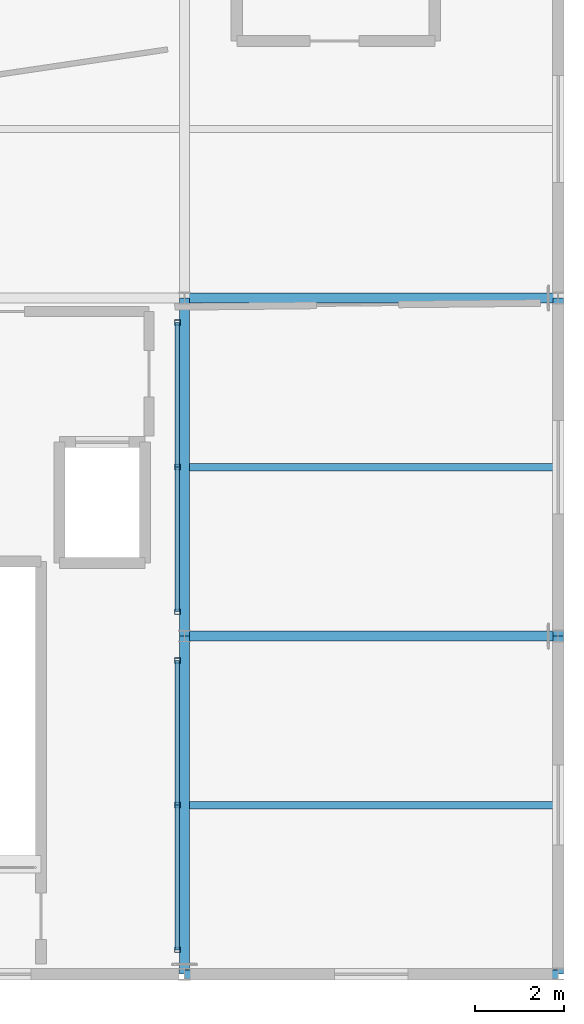
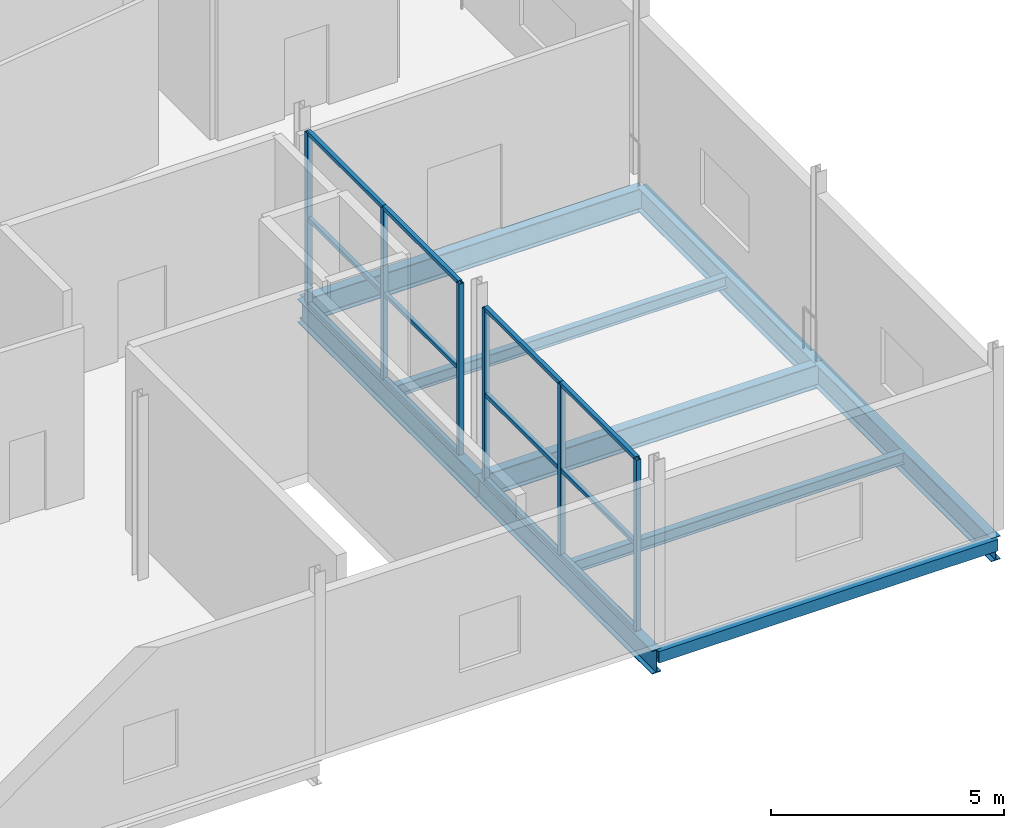
# One storey, part 4 of 8: 18 members, 9 beams, 2 elements without a shape of their own.
"""IFC4 building model written with IfcOpenShell, lengths in metres."""

from ifc_helpers import new_model, si_unit, direction, frame, origin, origin_2d, place, context, subcontext, project, spatial, hollow_rectangle, i_section, extrude, material, material_profile, profile_set, type_object, element, aggregate, save


model = new_model("IFC4")

# Units and contexts
model_context = context("Model", 3, precision=1e-05, world=origin(), true_north=direction((0.0, 1.0)))
body_context = subcontext(model_context, "Body", "Model", "MODEL_VIEW")
ifc_project = project(units=[si_unit("LENGTHUNIT", "METRE"), si_unit("AREAUNIT", "SQUARE_METRE"), si_unit("VOLUMEUNIT", "CUBIC_METRE"), si_unit("PLANEANGLEUNIT", "RADIAN"), si_unit("MASSUNIT", "GRAM", prefix="KILO")], contexts=[model_context])

# Site, building, storey
site_placement = place(None, origin())
site = spatial("IfcSite", under=ifc_project, at=site_placement, CompositionType="ELEMENT")
building_placement = place(site_placement, origin())
building = spatial("IfcBuilding", under=site, at=building_placement, Name="Zuvorla Pavilion Media Centre", CompositionType="ELEMENT")
storey_placement = place(building_placement, frame((0.0, 0.0, 26.39990234375)))
storey = spatial("IfcBuildingStorey", under=building, at=storey_placement, Name="L06", CompositionType="ELEMENT", Elevation=26.39990234375)

# Beams
ifc_material_1 = material(Name="Steel S355", Category="steel")
ifc_material_profile_1 = material_profile(ifc_material_1, hollow_rectangle(XDim=0.199951171875, YDim=0.300048828125, WallThickness=0.012451171875, at=origin_2d()), Name="RHS 300x200x12.5")
ifc_profile_set_1 = profile_set([ifc_material_profile_1], Name="Steel S355")
beam_type_1 = type_object("IfcBeamType", Name="BM-SP-RHS300", PredefinedType="SPANDREL", material=ifc_profile_set_1)
beam_1_placement = place(storey_placement, frame((100.39990234375, 6.0, -0.39794921875), z_axis=(1.0, 0.0, 0.0), x_axis=(0.0, 1.0, 0.0)))
element("IfcBeam", 1, at=beam_1_placement, inside=storey, type_object=beam_type_1, Name="L06 spandrel SP01 1609", PredefinedType="SPANDREL", context=body_context, shape_type="SweptSolid", body=[
    extrude(hollow_rectangle(XDim=0.199951171875, YDim=0.300048828125, WallThickness=0.012451171875, at=origin_2d()), origin(), (0.0, 0.0, 1.0), 8.400146484375),
])
ifc_material_profile_2 = material_profile(ifc_material_1, i_section(OverallWidth=0.165771484375, OverallDepth=0.306640625, WebThickness=0.006591796875, FlangeThickness=0.01171875, FilletRadius=0.0087890625, at=origin_2d()), Name="UB 305x165x46")
ifc_profile_set_2 = profile_set([ifc_material_profile_2], Name="Steel S355")
beam_type_2 = type_object("IfcBeamType", Name="BM-UB305", PredefinedType="JOIST", material=ifc_profile_set_2)
for number, where, z_axis, x_axis, name in (
    (2, (100.509521484375, 9.800048828125, -0.401123046875), (1.0, 0.0, 0.0), (0.0, 1.0, 0.0), "L06 joist J04 1654"),
    (3, (100.509521484375, 17.39990234375, -0.401123046875), (1.0, 0.0, 0.0), (0.0, 1.0, 0.0), "L06 joist J04 1655"),
):
    element("IfcBeam", number, at=place(storey_placement, frame(where, z_axis=z_axis, x_axis=x_axis)), inside=storey, type_object=beam_type_2, Name=name, PredefinedType="JOIST", context=body_context, shape_type="SweptSolid", body=[
        extrude(i_section(OverallWidth=0.165771484375, OverallDepth=0.306640625, WebThickness=0.006591796875, FlangeThickness=0.01171875, FilletRadius=0.0087890625, at=origin_2d()), origin(), (0.0, 0.0, 1.0), 8.180908203125),
    ])
ifc_material_profile_3 = material_profile(ifc_material_1, i_section(OverallWidth=0.22900390625, OverallDepth=0.6123046875, WebThickness=0.011962890625, FlangeThickness=0.01953125, FilletRadius=0.0126953125, at=origin_2d()), Name="UB 610x229x125")
ifc_profile_set_3 = profile_set([ifc_material_profile_3], Name="Steel S355")
beam_type_3 = type_object("IfcBeamType", Name="BM-UB610", PredefinedType="BEAM", material=ifc_profile_set_3)
for number, where, z_axis, x_axis, name in (
    (4, (100.39990234375, 13.60009765625, -0.553955078125), (1.0, 0.0, 0.0), (0.0, 1.0, 0.0), "L06 beam B07 1611"),
    (5, (100.39990234375, 21.199951171875, -0.553955078125), (1.0, 0.0, 0.0), (0.0, 1.0, 0.0), "L06 beam B07 1615"),
):
    element("IfcBeam", number, at=place(storey_placement, frame(where, z_axis=z_axis, x_axis=x_axis)), inside=storey, type_object=beam_type_3, Name=name, PredefinedType="BEAM", context=body_context, shape_type="SweptSolid", body=[
        extrude(i_section(OverallWidth=0.22900390625, OverallDepth=0.6123046875, WebThickness=0.011962890625, FlangeThickness=0.01953125, FilletRadius=0.0126953125, at=origin_2d()), origin(), (0.0, 0.0, 1.0), 8.400146484375),
    ])
beam_2_placement = place(storey_placement, frame((100.39990234375, 6.0, -0.553955078125), z_axis=(0.0, 1.0, 0.0), x_axis=(-1.0, 0.0, 0.0)))
element("IfcBeam", 6, at=beam_2_placement, inside=storey, type_object=beam_type_3, Name="L06 beam B07 1638", PredefinedType="BEAM", context=body_context, shape_type="SweptSolid", body=[
    extrude(i_section(OverallWidth=0.22900390625, OverallDepth=0.6123046875, WebThickness=0.011962890625, FlangeThickness=0.01953125, FilletRadius=0.0126953125, at=origin_2d()), origin(), (0.0, 0.0, 1.0), 7.60009765625),
])
beam_3_placement = place(storey_placement, frame((100.39990234375, 13.60009765625, -0.553955078125), z_axis=(0.0, 1.0, 0.0), x_axis=(-1.0, 0.0, 0.0)))
element("IfcBeam", 7, at=beam_3_placement, inside=storey, type_object=beam_type_3, Name="L06 beam B07 1639", PredefinedType="BEAM", context=body_context, shape_type="SweptSolid", body=[
    extrude(i_section(OverallWidth=0.22900390625, OverallDepth=0.6123046875, WebThickness=0.011962890625, FlangeThickness=0.01953125, FilletRadius=0.0126953125, at=origin_2d()), origin(), (0.0, 0.0, 1.0), 7.599853515625),
])
beam_4_placement = place(storey_placement, frame((108.800048828125, 6.0, -0.553955078125), z_axis=(0.0, 1.0, 0.0), x_axis=(-1.0, 0.0, 0.0)))
element("IfcBeam", 8, at=beam_4_placement, inside=storey, type_object=beam_type_3, Name="L06 beam B07 1642", PredefinedType="BEAM", context=body_context, shape_type="SweptSolid", body=[
    extrude(i_section(OverallWidth=0.22900390625, OverallDepth=0.6123046875, WebThickness=0.011962890625, FlangeThickness=0.01953125, FilletRadius=0.0126953125, at=origin_2d()), origin(), (0.0, 0.0, 1.0), 7.60009765625),
])
beam_5_placement = place(storey_placement, frame((108.800048828125, 13.60009765625, -0.553955078125), z_axis=(0.0, 1.0, 0.0), x_axis=(-1.0, 0.0, 0.0)))
element("IfcBeam", 9, at=beam_5_placement, inside=storey, type_object=beam_type_3, Name="L06 beam B07 1643", PredefinedType="BEAM", context=body_context, shape_type="SweptSolid", body=[
    extrude(i_section(OverallWidth=0.22900390625, OverallDepth=0.6123046875, WebThickness=0.011962890625, FlangeThickness=0.01953125, FilletRadius=0.0126953125, at=origin_2d()), origin(), (0.0, 0.0, 1.0), 7.599853515625),
])

# Curtain wall, members
ifc_material_2 = material(Name="Unitised anodised aluminium and solar glass curtain wall", Category="aluminium")
curtain_wall_type = type_object("IfcCurtainWallType", Name="CW-SYS-87", PredefinedType="USERDEFINED", material=ifc_material_2)
curtain_wall_1_placement = place(storey_placement, origin())
curtain_wall_1 = element("IfcCurtainWall", 10, at=curtain_wall_1_placement, inside=storey, type_object=curtain_wall_type, Name="L06 curtain wall CW87 198", ObjectType="CURTAIN WALL", PredefinedType="USERDEFINED")
ifc_material_3 = material(Name="Anodised aluminium 6063-T6", Category="aluminium")
ifc_material_profile_4 = material_profile(ifc_material_3, hollow_rectangle(XDim=0.1201171875, YDim=0.1201171875, WallThickness=0.0048828125, at=origin_2d()), Name="ALU MULL 120x120")
ifc_profile_set_4 = profile_set([ifc_material_profile_4], Name="Anodised aluminium 6063-T6")
member_type_1 = type_object("IfcMemberType", Name="CW-MULL-120", PredefinedType="MULLION", material=ifc_profile_set_4)
member_1_placement = place(storey_placement, frame((100.239990234375, 6.549072265625, 0.0), z_axis=(0.0, 0.0, 1.0), x_axis=(1.0, 0.0, 0.0)))
member_1 = element("IfcMember", 11, at=member_1_placement, type_object=member_type_1, Name="CW87 mullion 1", PredefinedType="MULLION", context=body_context, shape_type="SweptSolid", body=[
    extrude(hollow_rectangle(XDim=0.1201171875, YDim=0.1201171875, WallThickness=0.0048828125, at=origin_2d()), origin(), (0.0, 0.0, 1.0), 4.47998046875),
])
member_2_placement = place(storey_placement, frame((100.239990234375, 9.800048828125, 0.0), z_axis=(0.0, 0.0, 1.0), x_axis=(1.0, 0.0, 0.0)))
member_2 = element("IfcMember", 12, at=member_2_placement, type_object=member_type_1, Name="CW87 mullion 2", PredefinedType="MULLION", context=body_context, shape_type="SweptSolid", body=[
    extrude(hollow_rectangle(XDim=0.1201171875, YDim=0.1201171875, WallThickness=0.0048828125, at=origin_2d()), origin(), (0.0, 0.0, 1.0), 4.47998046875),
])
member_3_placement = place(storey_placement, frame((100.239990234375, 13.051025390625, 0.0), z_axis=(0.0, 0.0, 1.0), x_axis=(1.0, 0.0, 0.0)))
member_3 = element("IfcMember", 13, at=member_3_placement, type_object=member_type_1, Name="CW87 mullion 3", PredefinedType="MULLION", context=body_context, shape_type="SweptSolid", body=[
    extrude(hollow_rectangle(XDim=0.1201171875, YDim=0.1201171875, WallThickness=0.0048828125, at=origin_2d()), origin(), (0.0, 0.0, 1.0), 4.47998046875),
])

curtain_wall_2_placement = place(storey_placement, origin())
curtain_wall_2 = element("IfcCurtainWall", 14, at=curtain_wall_2_placement, inside=storey, type_object=curtain_wall_type, Name="L06 curtain wall CW87 199", ObjectType="CURTAIN WALL", PredefinedType="USERDEFINED")
member_4_placement = place(storey_placement, frame((100.239990234375, 14.14892578125, 0.0), z_axis=(0.0, 0.0, 1.0), x_axis=(1.0, 0.0, 0.0)))
member_4 = element("IfcMember", 15, at=member_4_placement, type_object=member_type_1, Name="CW87 mullion 1", PredefinedType="MULLION", context=body_context, shape_type="SweptSolid", body=[
    extrude(hollow_rectangle(XDim=0.1201171875, YDim=0.1201171875, WallThickness=0.0048828125, at=origin_2d()), origin(), (0.0, 0.0, 1.0), 4.47998046875),
])
member_5_placement = place(storey_placement, frame((100.239990234375, 17.39990234375, 0.0), z_axis=(0.0, 0.0, 1.0), x_axis=(1.0, 0.0, 0.0)))
member_5 = element("IfcMember", 16, at=member_5_placement, type_object=member_type_1, Name="CW87 mullion 2", PredefinedType="MULLION", context=body_context, shape_type="SweptSolid", body=[
    extrude(hollow_rectangle(XDim=0.1201171875, YDim=0.1201171875, WallThickness=0.0048828125, at=origin_2d()), origin(), (0.0, 0.0, 1.0), 4.47998046875),
])
member_6_placement = place(storey_placement, frame((100.239990234375, 20.65087890625, 0.0), z_axis=(0.0, 0.0, 1.0), x_axis=(1.0, 0.0, 0.0)))
member_6 = element("IfcMember", 17, at=member_6_placement, type_object=member_type_1, Name="CW87 mullion 3", PredefinedType="MULLION", context=body_context, shape_type="SweptSolid", body=[
    extrude(hollow_rectangle(XDim=0.1201171875, YDim=0.1201171875, WallThickness=0.0048828125, at=origin_2d()), origin(), (0.0, 0.0, 1.0), 4.47998046875),
])

# Member
ifc_material_profile_5 = material_profile(ifc_material_3, hollow_rectangle(XDim=0.10009765625, YDim=0.10009765625, WallThickness=0.00439453125, at=origin_2d()), Name="ALU TRAN 100x100")
ifc_profile_set_5 = profile_set([ifc_material_profile_5], Name="Anodised aluminium 6063-T6")
member_type_2 = type_object("IfcMemberType", Name="CW-TRAN-100", PredefinedType="USERDEFINED", material=ifc_profile_set_5)
member_7_placement = place(storey_placement, frame((100.239990234375, 6.549072265625, 0.0), z_axis=(0.0, 1.0, 0.0), x_axis=(-1.0, 0.0, 0.0)))
member_7 = element("IfcMember", 18, at=member_7_placement, type_object=member_type_2, Name="CW87 transom 1.1", ObjectType="TRANSOM", PredefinedType="USERDEFINED", context=body_context, shape_type="SweptSolid", body=[
    extrude(hollow_rectangle(XDim=0.10009765625, YDim=0.10009765625, WallThickness=0.00439453125, at=origin_2d()), origin(), (0.0, 0.0, 1.0), 3.2509765625),
])

member_8_placement = place(storey_placement, frame((100.239990234375, 6.549072265625, 2.239990234375), z_axis=(0.0, 1.0, 0.0), x_axis=(-1.0, 0.0, 0.0)))
member_8 = element("IfcMember", 19, at=member_8_placement, type_object=member_type_2, Name="CW87 transom 1.2", ObjectType="TRANSOM", PredefinedType="USERDEFINED", context=body_context, shape_type="SweptSolid", body=[
    extrude(hollow_rectangle(XDim=0.10009765625, YDim=0.10009765625, WallThickness=0.00439453125, at=origin_2d()), origin(), (0.0, 0.0, 1.0), 3.2509765625),
])

member_9_placement = place(storey_placement, frame((100.239990234375, 6.549072265625, 4.47998046875), z_axis=(0.0, 1.0, 0.0), x_axis=(-1.0, 0.0, 0.0)))
member_9 = element("IfcMember", 20, at=member_9_placement, type_object=member_type_2, Name="CW87 transom 1.3", ObjectType="TRANSOM", PredefinedType="USERDEFINED", context=body_context, shape_type="SweptSolid", body=[
    extrude(hollow_rectangle(XDim=0.10009765625, YDim=0.10009765625, WallThickness=0.00439453125, at=origin_2d()), origin(), (0.0, 0.0, 1.0), 3.2509765625),
])

member_10_placement = place(storey_placement, frame((100.239990234375, 9.800048828125, 0.0), z_axis=(0.0, 1.0, 0.0), x_axis=(-1.0, 0.0, 0.0)))
member_10 = element("IfcMember", 21, at=member_10_placement, type_object=member_type_2, Name="CW87 transom 2.1", ObjectType="TRANSOM", PredefinedType="USERDEFINED", context=body_context, shape_type="SweptSolid", body=[
    extrude(hollow_rectangle(XDim=0.10009765625, YDim=0.10009765625, WallThickness=0.00439453125, at=origin_2d()), origin(), (0.0, 0.0, 1.0), 3.2509765625),
])

member_11_placement = place(storey_placement, frame((100.239990234375, 9.800048828125, 2.239990234375), z_axis=(0.0, 1.0, 0.0), x_axis=(-1.0, 0.0, 0.0)))
member_11 = element("IfcMember", 22, at=member_11_placement, type_object=member_type_2, Name="CW87 transom 2.2", ObjectType="TRANSOM", PredefinedType="USERDEFINED", context=body_context, shape_type="SweptSolid", body=[
    extrude(hollow_rectangle(XDim=0.10009765625, YDim=0.10009765625, WallThickness=0.00439453125, at=origin_2d()), origin(), (0.0, 0.0, 1.0), 3.2509765625),
])

member_12_placement = place(storey_placement, frame((100.239990234375, 9.800048828125, 4.47998046875), z_axis=(0.0, 1.0, 0.0), x_axis=(-1.0, 0.0, 0.0)))
member_12 = element("IfcMember", 23, at=member_12_placement, type_object=member_type_2, Name="CW87 transom 2.3", ObjectType="TRANSOM", PredefinedType="USERDEFINED", context=body_context, shape_type="SweptSolid", body=[
    extrude(hollow_rectangle(XDim=0.10009765625, YDim=0.10009765625, WallThickness=0.00439453125, at=origin_2d()), origin(), (0.0, 0.0, 1.0), 3.2509765625),
])

aggregate(curtain_wall_1, [member_1, member_2, member_3, member_7, member_8, member_9, member_10, member_11, member_12])

member_13_placement = place(storey_placement, frame((100.239990234375, 14.14892578125, 0.0), z_axis=(0.0, 1.0, 0.0), x_axis=(-1.0, 0.0, 0.0)))
member_13 = element("IfcMember", 24, at=member_13_placement, type_object=member_type_2, Name="CW87 transom 1.1", ObjectType="TRANSOM", PredefinedType="USERDEFINED", context=body_context, shape_type="SweptSolid", body=[
    extrude(hollow_rectangle(XDim=0.10009765625, YDim=0.10009765625, WallThickness=0.00439453125, at=origin_2d()), origin(), (0.0, 0.0, 1.0), 3.2509765625),
])

member_14_placement = place(storey_placement, frame((100.239990234375, 14.14892578125, 2.239990234375), z_axis=(0.0, 1.0, 0.0), x_axis=(-1.0, 0.0, 0.0)))
member_14 = element("IfcMember", 25, at=member_14_placement, type_object=member_type_2, Name="CW87 transom 1.2", ObjectType="TRANSOM", PredefinedType="USERDEFINED", context=body_context, shape_type="SweptSolid", body=[
    extrude(hollow_rectangle(XDim=0.10009765625, YDim=0.10009765625, WallThickness=0.00439453125, at=origin_2d()), origin(), (0.0, 0.0, 1.0), 3.2509765625),
])

member_15_placement = place(storey_placement, frame((100.239990234375, 14.14892578125, 4.47998046875), z_axis=(0.0, 1.0, 0.0), x_axis=(-1.0, 0.0, 0.0)))
member_15 = element("IfcMember", 26, at=member_15_placement, type_object=member_type_2, Name="CW87 transom 1.3", ObjectType="TRANSOM", PredefinedType="USERDEFINED", context=body_context, shape_type="SweptSolid", body=[
    extrude(hollow_rectangle(XDim=0.10009765625, YDim=0.10009765625, WallThickness=0.00439453125, at=origin_2d()), origin(), (0.0, 0.0, 1.0), 3.2509765625),
])

member_16_placement = place(storey_placement, frame((100.239990234375, 17.39990234375, 0.0), z_axis=(0.0, 1.0, 0.0), x_axis=(-1.0, 0.0, 0.0)))
member_16 = element("IfcMember", 27, at=member_16_placement, type_object=member_type_2, Name="CW87 transom 2.1", ObjectType="TRANSOM", PredefinedType="USERDEFINED", context=body_context, shape_type="SweptSolid", body=[
    extrude(hollow_rectangle(XDim=0.10009765625, YDim=0.10009765625, WallThickness=0.00439453125, at=origin_2d()), origin(), (0.0, 0.0, 1.0), 3.2509765625),
])

member_17_placement = place(storey_placement, frame((100.239990234375, 17.39990234375, 2.239990234375), z_axis=(0.0, 1.0, 0.0), x_axis=(-1.0, 0.0, 0.0)))
member_17 = element("IfcMember", 28, at=member_17_placement, type_object=member_type_2, Name="CW87 transom 2.2", ObjectType="TRANSOM", PredefinedType="USERDEFINED", context=body_context, shape_type="SweptSolid", body=[
    extrude(hollow_rectangle(XDim=0.10009765625, YDim=0.10009765625, WallThickness=0.00439453125, at=origin_2d()), origin(), (0.0, 0.0, 1.0), 3.2509765625),
])

member_18_placement = place(storey_placement, frame((100.239990234375, 17.39990234375, 4.47998046875), z_axis=(0.0, 1.0, 0.0), x_axis=(-1.0, 0.0, 0.0)))
member_18 = element("IfcMember", 29, at=member_18_placement, type_object=member_type_2, Name="CW87 transom 2.3", ObjectType="TRANSOM", PredefinedType="USERDEFINED", context=body_context, shape_type="SweptSolid", body=[
    extrude(hollow_rectangle(XDim=0.10009765625, YDim=0.10009765625, WallThickness=0.00439453125, at=origin_2d()), origin(), (0.0, 0.0, 1.0), 3.2509765625),
])

aggregate(curtain_wall_2, [member_4, member_5, member_6, member_13, member_14, member_15, member_16, member_17, member_18])

save(model, "model.ifc")
